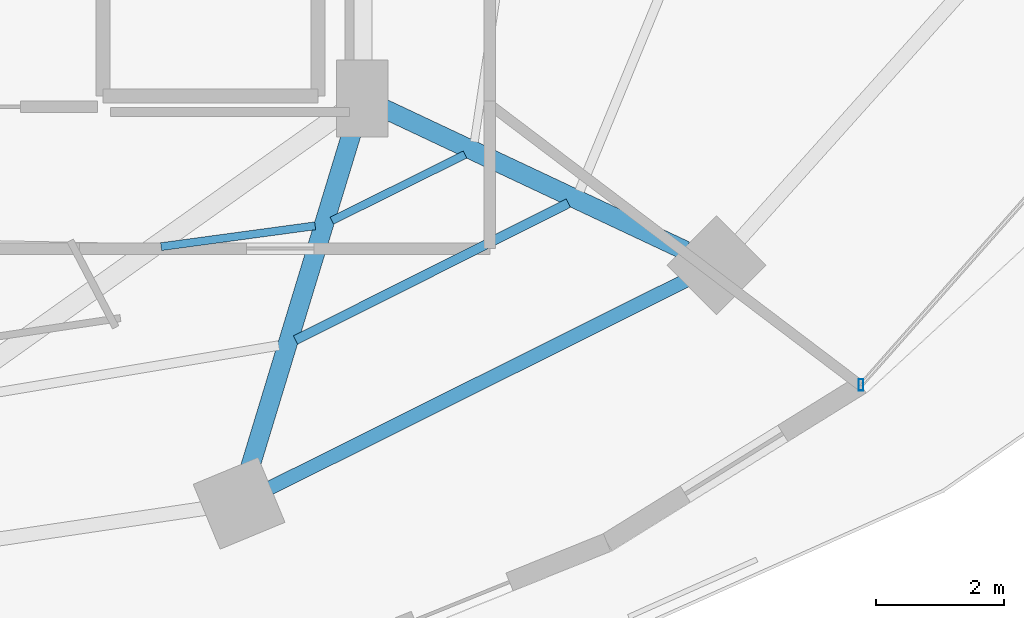
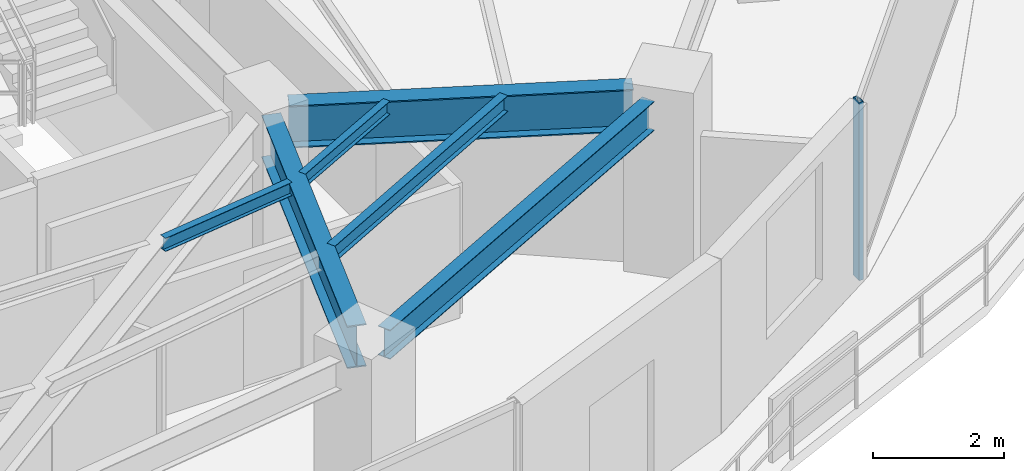
# One storey, part 11 of 30: 6 beams, 1 member, 1 element without a shape of its own.
"""IFC4 building model written with IfcOpenShell, lengths in metres."""

from ifc_helpers import new_model, si_unit, direction, frame, origin, origin_2d, place, context, subcontext, project, spatial, hollow_rectangle, i_section, extrude, material, material_profile, profile_set, type_object, element, aggregate, save


model = new_model("IFC4")

# Units and contexts
model_context = context("Model", 3, precision=1e-05, world=origin(), true_north=direction((0.0, 1.0)))
body_context = subcontext(model_context, "Body", "Model", "MODEL_VIEW")
ifc_project = project(units=[si_unit("LENGTHUNIT", "METRE"), si_unit("AREAUNIT", "SQUARE_METRE"), si_unit("VOLUMEUNIT", "CUBIC_METRE"), si_unit("PLANEANGLEUNIT", "RADIAN"), si_unit("MASSUNIT", "GRAM", prefix="KILO")], contexts=[model_context])

# Site, building, storey
site_placement = place(None, origin())
site = spatial("IfcSite", under=ifc_project, at=site_placement, CompositionType="ELEMENT")
building_placement = place(site_placement, origin())
building = spatial("IfcBuilding", under=site, at=building_placement, Name="Vorneva Point Tower", CompositionType="ELEMENT")
storey_placement = place(building_placement, frame((0.0, 0.0, 89.300048828125)))
storey = spatial("IfcBuildingStorey", under=building, at=storey_placement, Name="L23", CompositionType="ELEMENT", Elevation=89.300048828125)

# Beams
ifc_material_1 = material(Name="Steel S355", Category="steel")
ifc_material_profile_1 = material_profile(ifc_material_1, i_section(OverallWidth=0.300048828125, OverallDepth=0.7880859375, WebThickness=0.014404296875, FlangeThickness=0.02197265625, at=origin_2d()), Name="80Sh1")
ifc_profile_set_1 = profile_set([ifc_material_profile_1], Name="Steel S355")
beam_type_1 = type_object("IfcBeamType", Name="BM-GRD-80Sh1", PredefinedType="USERDEFINED", material=ifc_profile_set_1)
beam_1_placement = place(storey_placement, frame((46.9775390625, 10.6240234375, 2.845947265625), z_axis=(0.291034888253, 0.956712440506, 0.0), x_axis=(-0.956712440506, 0.291034888253, 0.0)))
element("IfcBeam", 1, at=beam_1_placement, inside=storey, type_object=beam_type_1, Name="L23 Radial Primary Girder 14", ObjectType="GIRDER", PredefinedType="USERDEFINED", context=body_context, shape_type="SweptSolid", body=[
    extrude(i_section(OverallWidth=0.300048828125, OverallDepth=0.7880859375, WebThickness=0.014404296875, FlangeThickness=0.02197265625, at=origin_2d()), origin(), (0.0, 0.0, 1.0), 5.74951171875),
])
beam_2_placement = place(storey_placement, frame((53.81201171875, 14.06689453125, 2.845947265625), z_axis=(-0.904751304927, 0.425940226126, 0.0), x_axis=(-0.425940226126, -0.904751304927, 0.0)))
element("IfcBeam", 2, at=beam_2_placement, inside=storey, type_object=beam_type_1, Name="L23 Radial Primary Girder 15", ObjectType="GIRDER", PredefinedType="USERDEFINED", context=body_context, shape_type="SweptSolid", body=[
    extrude(i_section(OverallWidth=0.300048828125, OverallDepth=0.7880859375, WebThickness=0.014404296875, FlangeThickness=0.02197265625, at=origin_2d()), origin(), (0.0, 0.0, 1.0), 5.2548828125),
])
ifc_material_profile_2 = material_profile(ifc_material_1, i_section(OverallWidth=0.1240234375, OverallDepth=0.248046875, WebThickness=0.0048828125, FlangeThickness=0.008056640625, at=origin_2d()), Name="25B1")
ifc_profile_set_2 = profile_set([ifc_material_profile_2], Name="Steel S355")
beam_type_2 = type_object("IfcBeamType", Name="BM-JST-25B1", PredefinedType="JOIST", material=ifc_profile_set_2)
beam_3_placement = place(storey_placement, frame((45.599365234375, 14.129150390625, 3.115966796875), z_axis=(0.990946337879, 0.134258539555, 0.0), x_axis=(-0.134258539555, 0.990946337879, 0.0)))
element("IfcBeam", 3, at=beam_3_placement, inside=storey, type_object=beam_type_2, Name="L23 Secondary Floor Beam 2.13", PredefinedType="JOIST", context=body_context, shape_type="SweptSolid", body=[
    extrude(i_section(OverallWidth=0.1240234375, OverallDepth=0.248046875, WebThickness=0.0048828125, FlangeThickness=0.008056640625, at=origin_2d()), origin(), (0.0, 0.0, 1.0), 2.434814453125),
])
beam_4_placement = place(storey_placement, frame((48.272705078125, 14.535888671875, 3.115966796875), z_axis=(0.89565974577, 0.444739946268, 0.0), x_axis=(-0.444739946268, 0.89565974577, 0.0)))
element("IfcBeam", 4, at=beam_4_placement, inside=storey, type_object=beam_type_2, Name="L23 Secondary Floor Beam 2.14", PredefinedType="JOIST", context=body_context, shape_type="SweptSolid", body=[
    extrude(i_section(OverallWidth=0.1240234375, OverallDepth=0.248046875, WebThickness=0.0048828125, FlangeThickness=0.008056640625, at=origin_2d()), origin(), (0.0, 0.0, 1.0), 2.330810546875),
])
ifc_material_profile_3 = material_profile(ifc_material_1, i_section(OverallWidth=0.14892578125, OverallDepth=0.298095703125, WebThickness=0.005615234375, FlangeThickness=0.008056640625, at=origin_2d()), Name="30B1")
ifc_profile_set_3 = profile_set([ifc_material_profile_3], Name="Steel S355")
beam_type_3 = type_object("IfcBeamType", Name="BM-JST-30B1", PredefinedType="JOIST", material=ifc_profile_set_3)
beam_5_placement = place(storey_placement, frame((47.703369140625, 12.666015625, 3.091064453125), z_axis=(0.89376245769, 0.448540599304, 0.0), x_axis=(-0.448540599304, 0.89376245769, 0.0)))
element("IfcBeam", 5, at=beam_5_placement, inside=storey, type_object=beam_type_3, Name="L23 Secondary Floor Beam 1.14", PredefinedType="JOIST", context=body_context, shape_type="SweptSolid", body=[
    extrude(i_section(OverallWidth=0.14892578125, OverallDepth=0.298095703125, WebThickness=0.005615234375, FlangeThickness=0.008056640625, at=origin_2d()), origin(), (0.0, 0.0, 1.0), 4.78173828125),
])
ifc_material_profile_4 = material_profile(ifc_material_1, i_section(OverallWidth=0.219970703125, OverallDepth=0.54296875, WebThickness=0.009521484375, FlangeThickness=0.013427734375, at=origin_2d()), Name="55B1")
ifc_profile_set_4 = profile_set([ifc_material_profile_4], Name="Steel S355")
beam_type_4 = type_object("IfcBeamType", Name="BM-SPN-55B1", PredefinedType="SPANDREL", material=ifc_profile_set_4)
beam_6_placement = place(storey_placement, frame((47.2998046875, 10.347900390625, 2.968505859375), z_axis=(0.894915882304, 0.446234874926, 0.0), x_axis=(-0.446234874926, 0.894915882304, 0.0)))
element("IfcBeam", 6, at=beam_6_placement, inside=storey, type_object=beam_type_4, Name="L23 Perimeter Spandrel Ring Beam 14", PredefinedType="SPANDREL", context=body_context, shape_type="SweptSolid", body=[
    extrude(i_section(OverallWidth=0.219970703125, OverallDepth=0.54296875, WebThickness=0.009521484375, FlangeThickness=0.013427734375, at=origin_2d()), origin(), (0.0, 0.0, 1.0), 7.285888671875),
])

# Curtain wall, member
ifc_material_2 = material(Name="Pale anodised aluminium", Category="aluminium")
curtain_wall_type = type_object("IfcCurtainWallType", Name="CW-HTL-SYS", PredefinedType="NOTDEFINED", material=ifc_material_2)
curtain_wall_placement = place(storey_placement, origin())
curtain_wall = element("IfcCurtainWall", 7, at=curtain_wall_placement, inside=storey, type_object=curtain_wall_type, Name="L23 Unitised Curtain Wall CW-L23-R01", PredefinedType="NOTDEFINED")
ifc_material_profile_5 = material_profile(ifc_material_2, hollow_rectangle(XDim=0.074951171875, YDim=0.179931640625, WallThickness=0.00390625, at=origin_2d()), Name="AL-MUL 180x75x4")
ifc_profile_set_5 = profile_set([ifc_material_profile_5], Name="Pale anodised aluminium")
member_type = type_object("IfcMemberType", Name="CW-MUL-180", PredefinedType="MULLION", material=ifc_profile_set_5)
member_placement = place(storey_placement, frame((56.5615234375, 11.9638671875, -0.0400390625), z_axis=(0.0, 0.0, 1.0), x_axis=(1.0, 0.0, 0.0)))
member = element("IfcMember", 8, at=member_placement, type_object=member_type, Name="CW-L23-R01 Mullion 01", PredefinedType="MULLION", context=body_context, shape_type="SweptSolid", body=[
    extrude(hollow_rectangle(XDim=0.074951171875, YDim=0.179931640625, WallThickness=0.00390625, at=origin_2d()), origin(), (0.0, 0.0, 1.0), 3.31005859375),
])
aggregate(curtain_wall, [member])

save(model, "model.ifc")
